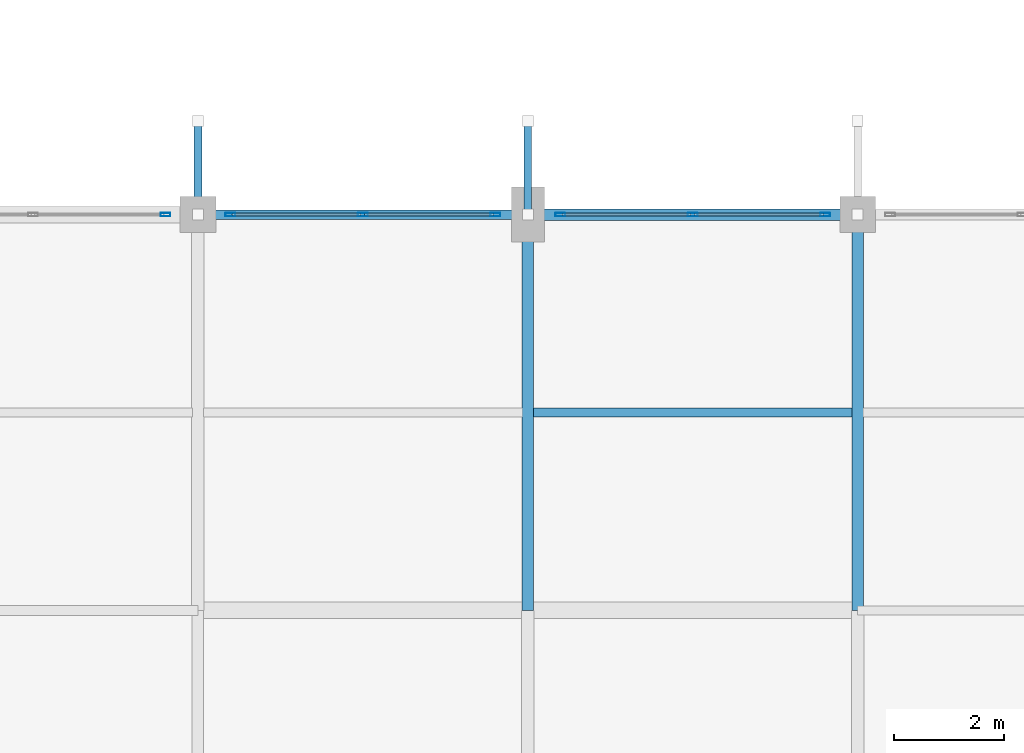
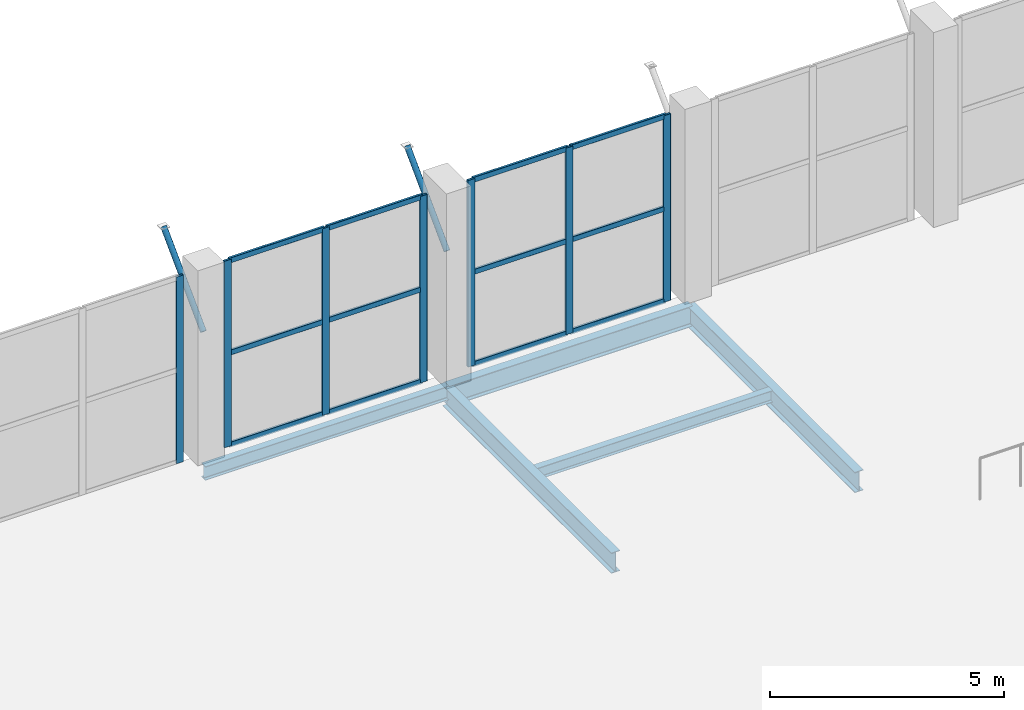
# One storey, part 58 of 127: 21 members, 5 beams, 3 elements without a shape of their own.
"""IFC4 building model written with IfcOpenShell, lengths in metres."""

import ifcopenshell
import ifcopenshell.guid

model = None  # the IFC model being written
_history = None  # IfcOwnerHistory: only IFC2X3 demands one
_inside = {}  # id of a spatial element -> (the spatial element, [elements in it])
_under = {}  # id of a project, library or spatial element -> (it, [spatial elements below it])
_declared = {}  # id of a project -> (the project, [libraries it declares])
_typed = {}  # id of a type object -> (the type object, [elements of that type])
_made_of = {}  # id of a material, layer set ... -> (it, [elements and type objects made of it])


def new_model(schema):
    """Start an empty IFC model of exactly this schema.

    Asked for "IFC4X3", IfcOpenShell would pick the latest addendum, in which some entities
    have other attributes; the version numbers below select the first issue.
    IFC2X3 requires an IfcOwnerHistory on every rooted entity: one is made here for all.
    """
    global model, _history
    if schema == "IFC4X3":
        model = ifcopenshell.file(schema_version=(4, 3, 0, 0))
    else:
        model = ifcopenshell.file(schema=schema)
    _inside.clear()
    _under.clear()
    _declared.clear()
    _typed.clear()
    _made_of.clear()
    _history = None
    if model.schema == "IFC2X3":
        org = make("IfcOrganization", Name="unknown")
        user = make(
            "IfcPersonAndOrganization",
            ThePerson=make("IfcPerson", FamilyName="unknown"),
            TheOrganization=org,
        )
        app = make(
            "IfcApplication",
            ApplicationDeveloper=org,
            Version="unknown",
            ApplicationFullName="unknown",
            ApplicationIdentifier="unknown",
        )
        _history = make(
            "IfcOwnerHistory",
            OwningUser=user,
            OwningApplication=app,
            ChangeAction="ADDED",
            CreationDate=0,
        )
    return model


def make(cls, **values):
    """One entity of the class cls with the attributes given. An attribute that is None is left unset."""
    return model.create_entity(
        cls, **{name: value for name, value in values.items() if value is not None}
    )


def rooted(cls, **values):
    """An entity with a GlobalId (a new one), such as an element, a storey or a relation."""
    return make(cls, GlobalId=ifcopenshell.guid.new(), OwnerHistory=_history, **values)


def si_unit(unit_type, name, prefix=None):
    """IfcSIUnit, for example si_unit("LENGTHUNIT", "METRE", prefix="MILLI")."""
    return make("IfcSIUnit", UnitType=unit_type, Prefix=prefix, Name=name)


def assignment(units):
    """IfcUnitAssignment: the units of a project."""
    return None if units is None else make("IfcUnitAssignment", Units=units)


def point(xyz):
    """IfcCartesianPoint."""
    return None if xyz is None else make("IfcCartesianPoint", Coordinates=xyz)


def direction(xyz):
    """IfcDirection."""
    return None if xyz is None else make("IfcDirection", DirectionRatios=xyz)


def frame(location, z_axis=None, x_axis=None):
    """IfcAxis2Placement3D, a coordinate frame: its origin and axes. An axis left out is left unset."""
    return make(
        "IfcAxis2Placement3D",
        Location=point(location),
        Axis=direction(z_axis),
        RefDirection=direction(x_axis),
    )


def frame_2d(location, x_axis=None):
    """IfcAxis2Placement2D, a coordinate frame in the plane: its origin and x axis."""
    return make(
        "IfcAxis2Placement2D", Location=point(location), RefDirection=direction(x_axis)
    )


def origin():
    """The frame at (0, 0, 0) with its axes left unset."""
    return frame((0.0, 0.0, 0.0))


def origin_2d():
    """The frame at (0, 0) in the plane with its x axis left unset."""
    return frame_2d((0.0, 0.0))


def place(relative_to, where):
    """IfcLocalPlacement: puts the frame where relative to a parent placement (None: the world)."""
    return make(
        "IfcLocalPlacement", PlacementRelTo=relative_to, RelativePlacement=where
    )


def context(
    kind, dimensions, precision=None, world=None, true_north=None, identifier=None
):
    """IfcGeometricRepresentationContext, for example the 3D "Model" context."""
    return make(
        "IfcGeometricRepresentationContext",
        ContextIdentifier=identifier,
        ContextType=kind,
        CoordinateSpaceDimension=dimensions,
        Precision=precision,
        WorldCoordinateSystem=world,
        TrueNorth=true_north,
    )


def subcontext(parent, identifier, kind, view, scale=None):
    """IfcGeometricRepresentationSubContext, for example "Body" below "Model"."""
    return make(
        "IfcGeometricRepresentationSubContext",
        ContextIdentifier=identifier,
        ContextType=kind,
        ParentContext=parent,
        TargetScale=scale,
        TargetView=view,
    )


def project(units=None, contexts=None):
    """IfcProject with its units and contexts."""
    return rooted(
        "IfcProject",
        Name="project",
        RepresentationContexts=contexts,
        UnitsInContext=assignment(units),
    )


def spatial(cls, under=None, at=None, **own):
    """A site, building, storey or space (cls), placed at a placement, below another one or the project."""
    s = rooted(cls, ObjectPlacement=at, **own)
    if under is not None:
        _under.setdefault(under.id(), (under, []))[1].append(s)
    return s


def profile(cls, at=None, kind="AREA", **sizes):
    """A parametric profile (cls). Its sizes go by their IFC names, for example OverallWidth=200.0."""
    return make(cls, ProfileType=kind, Position=at, **sizes)


def hollow_rectangle(**sizes):
    """IfcRectangleHollowProfileDef."""
    return profile("IfcRectangleHollowProfileDef", **sizes)


def hollow_circle(**sizes):
    """IfcCircleHollowProfileDef."""
    return profile("IfcCircleHollowProfileDef", **sizes)


def i_section(**sizes):
    """IfcIShapeProfileDef."""
    return profile("IfcIShapeProfileDef", **sizes)


def extrude(swept, where, along, depth):
    """IfcExtrudedAreaSolid: the profile swept, set in the frame where, extruded along a direction by depth."""
    return make(
        "IfcExtrudedAreaSolid",
        SweptArea=swept,
        Position=where,
        ExtrudedDirection=direction(along),
        Depth=depth,
    )


def shape(context_of_items, identifier, shape_type, items):
    """IfcShapeRepresentation: the items that make up one representation, for example the "Body"."""
    return make(
        "IfcShapeRepresentation",
        ContextOfItems=context_of_items,
        RepresentationIdentifier=identifier,
        RepresentationType=shape_type,
        Items=items,
    )


def material(Name=None, Category=None):
    """IfcMaterial."""
    return make("IfcMaterial", Name=Name, Category=Category)


def layer(
    of_material, thickness, ventilated=None, Name=None, Category=None, Priority=None
):
    """IfcMaterialLayer: one layer of a wall or slab, of a material (None: an air gap)."""
    return make(
        "IfcMaterialLayer",
        Material=of_material,
        LayerThickness=thickness,
        IsVentilated=ventilated,
        Name=Name,
        Category=Category,
        Priority=Priority,
    )


def layer_set(layers, Name=None):
    """IfcMaterialLayerSet."""
    return make("IfcMaterialLayerSet", MaterialLayers=layers, LayerSetName=Name)


def material_profile(
    of_material, cross_section, Name=None, Category=None, Priority=None
):
    """IfcMaterialProfile: a cross section and its material."""
    return make(
        "IfcMaterialProfile",
        Name=Name,
        Material=of_material,
        Profile=cross_section,
        Priority=Priority,
        Category=Category,
    )


def profile_set(profiles, Name=None, composite=None):
    """IfcMaterialProfileSet."""
    return make(
        "IfcMaterialProfileSet",
        Name=Name,
        MaterialProfiles=profiles,
        CompositeProfile=composite,
    )


def made_of(thing, what):
    """Note that an element or type object is made of a material, layer set ...; save() writes the relation."""
    if what is not None:
        _made_of.setdefault(what.id(), (what, []))[1].append(thing)
    return thing


def type_object(cls, material=None, **own):
    """A type object (cls), such as IfcWallType, which elements share."""
    return made_of(rooted(cls, **own), material)


def element(
    cls,
    number,
    at=None,
    inside=None,
    cuts=None,
    type_object=None,
    material=None,
    context=None,
    identifier="Body",
    shape_type=None,
    held_by="IfcProductDefinitionShape",
    body=None,
    shapes=None,
    **own,
):
    """One element of the class cls, such as IfcWall. Its Tag is "e" and its number.

    at: its placement. inside: the storey or other place that contains it. cuts: it is an
    opening in that element (IfcRelVoidsElement). A single representation is given by context,
    identifier, shape_type and body (its items); several are given by shapes. held_by: the class
    of the entity that holds the representations. save() writes the other relations.
    """
    e = rooted(cls, Tag="e%d" % number, ObjectPlacement=at, **own)
    if body is not None:
        shapes = [shape(context, identifier, shape_type, body)]
    if shapes is not None:
        e.Representation = make(held_by, Representations=shapes)
    if inside is not None:
        _inside.setdefault(inside.id(), (inside, []))[1].append(e)
    if cuts is not None:
        rooted(
            "IfcRelVoidsElement", RelatingBuildingElement=cuts, RelatedOpeningElement=e
        )
    if type_object is not None:
        _typed.setdefault(type_object.id(), (type_object, []))[1].append(e)
    return made_of(e, material)


def aggregate(whole, parts):
    """IfcRelAggregates: a whole, such as a stair, and the parts it consists of."""
    return rooted("IfcRelAggregates", RelatingObject=whole, RelatedObjects=parts)


def save(model, path):
    """Write the relations noted so far, then the file.

    IfcRelAggregates (storeys below a building ...), IfcRelContainedInSpatialStructure (elements
    in a storey), IfcRelDefinesByType, IfcRelAssociatesMaterial and IfcRelDeclares: one each for
    every whole, place, type object, material and project.
    """
    for whole, parts in _under.values():
        aggregate(whole, parts)
    for where, things in _inside.values():
        rooted(
            "IfcRelContainedInSpatialStructure",
            RelatedElements=things,
            RelatingStructure=where,
        )
    for kind, things in _typed.values():
        rooted("IfcRelDefinesByType", RelatedObjects=things, RelatingType=kind)
    for what, things in _made_of.values():
        rooted("IfcRelAssociatesMaterial", RelatedObjects=things, RelatingMaterial=what)
    for by, libraries in _declared.values():
        rooted("IfcRelDeclares", RelatingContext=by, RelatedDefinitions=libraries)
    model.write(path)


model = new_model("IFC4")

# Units and contexts
model_context = context("Model", 3, precision=1e-05, world=origin(), true_north=direction((0.0, 1.0)))
body_context = subcontext(model_context, "Body", "Model", "MODEL_VIEW")
ifc_project = project(units=[si_unit("LENGTHUNIT", "METRE"), si_unit("AREAUNIT", "SQUARE_METRE"), si_unit("VOLUMEUNIT", "CUBIC_METRE"), si_unit("PLANEANGLEUNIT", "RADIAN"), si_unit("MASSUNIT", "GRAM", prefix="KILO")], contexts=[model_context])

# Site, building, storey
site_placement = place(None, origin())
site = spatial("IfcSite", under=ifc_project, at=site_placement, CompositionType="ELEMENT")
building_placement = place(site_placement, origin())
building = spatial("IfcBuilding", under=site, at=building_placement, Name="Dunvalen Ferry Terminal", CompositionType="ELEMENT")
storey_placement = place(building_placement, frame((0.0, 0.0, 5.760009765625)))
storey = spatial("IfcBuildingStorey", under=building, at=storey_placement, Name="L01", CompositionType="ELEMENT", Elevation=5.760009765625)

# Curtain wall, member
ifc_material_1 = material(Name="Anodised marine aluminium and solar-control glazing", Category="aluminium")
ifc_layer = layer(ifc_material_1, 0.219970703125, Name="Anodised marine aluminium and solar-control glazing")
ifc_layer_set = layer_set([ifc_layer], Name="Anodised marine aluminium and solar-control glazing")
curtain_wall_type = type_object("IfcCurtainWallType", Name="ENV-CW-SYS-02", PredefinedType="NOTDEFINED", material=ifc_layer_set)
curtain_wall_1_placement = place(storey_placement, origin())
curtain_wall_1 = element("IfcCurtainWall", 1, at=curtain_wall_1_placement, inside=storey, type_object=curtain_wall_type, Name="L01 Curtain Wall CW-V1N-L01-09", PredefinedType="NOTDEFINED")
ifc_material_2 = material(Name="Anodised marine aluminium EN AW-6063 T6", Category="aluminium")
ifc_material_profile_1 = material_profile(ifc_material_2, hollow_rectangle(XDim=0.06005859375, YDim=0.179931640625, WallThickness=0.00341796875, InnerFilletRadius=0.00341796875, OuterFilletRadius=0.007080078125, at=origin_2d()), Name="Anodised marine aluminium EN AW-6063 T6")
ifc_profile_set_1 = profile_set([ifc_material_profile_1], Name="Anodised marine aluminium EN AW-6063 T6")
member_type_1 = type_object("IfcMemberType", Name="ENV-CW-MUL-2", PredefinedType="MULLION", material=ifc_profile_set_1)
member_1_placement = place(storey_placement, frame((65.409912109375, 86.39990234375, 0.0), z_axis=(0.0, 0.0, 1.0), x_axis=(0.0, 1.0, 0.0)))
member_1 = element("IfcMember", 2, at=member_1_placement, type_object=member_type_1, Name="CW-02 mullion 3", PredefinedType="MULLION", context=body_context, shape_type="SweptSolid", body=[
    extrude(hollow_rectangle(XDim=0.06005859375, YDim=0.179931640625, WallThickness=0.00341796875, InnerFilletRadius=0.00341796875, OuterFilletRadius=0.007080078125, at=origin_2d()), origin(), (0.0, 0.0, 1.0), 4.860107421875),
])
aggregate(curtain_wall_1, [member_1])

# Curtain wall, members
curtain_wall_2_placement = place(storey_placement, origin())
curtain_wall_2 = element("IfcCurtainWall", 3, at=curtain_wall_2_placement, inside=storey, type_object=curtain_wall_type, Name="L01 Curtain Wall CW-V1N-L01-10", PredefinedType="NOTDEFINED")
member_2_placement = place(storey_placement, frame((66.590087890625, 86.39990234375, 0.0), z_axis=(0.0, 0.0, 1.0), x_axis=(0.0, 1.0, 0.0)))
member_2 = element("IfcMember", 4, at=member_2_placement, type_object=member_type_1, Name="CW-02 mullion 1", PredefinedType="MULLION", context=body_context, shape_type="SweptSolid", body=[
    extrude(hollow_rectangle(XDim=0.06005859375, YDim=0.179931640625, WallThickness=0.00341796875, InnerFilletRadius=0.00341796875, OuterFilletRadius=0.007080078125, at=origin_2d()), origin(), (0.0, 0.0, 1.0), 4.860107421875),
])
member_3_placement = place(storey_placement, frame((69.0, 86.39990234375, 0.0), z_axis=(0.0, 0.0, 1.0), x_axis=(0.0, 1.0, 0.0)))
member_3 = element("IfcMember", 5, at=member_3_placement, type_object=member_type_1, Name="CW-02 mullion 2", PredefinedType="MULLION", context=body_context, shape_type="SweptSolid", body=[
    extrude(hollow_rectangle(XDim=0.06005859375, YDim=0.179931640625, WallThickness=0.00341796875, InnerFilletRadius=0.00341796875, OuterFilletRadius=0.007080078125, at=origin_2d()), origin(), (0.0, 0.0, 1.0), 4.860107421875),
])
member_4_placement = place(storey_placement, frame((71.409912109375, 86.39990234375, 0.0), z_axis=(0.0, 0.0, 1.0), x_axis=(0.0, 1.0, 0.0)))
member_4 = element("IfcMember", 6, at=member_4_placement, type_object=member_type_1, Name="CW-02 mullion 3", PredefinedType="MULLION", context=body_context, shape_type="SweptSolid", body=[
    extrude(hollow_rectangle(XDim=0.06005859375, YDim=0.179931640625, WallThickness=0.00341796875, InnerFilletRadius=0.00341796875, OuterFilletRadius=0.007080078125, at=origin_2d()), origin(), (0.0, 0.0, 1.0), 4.860107421875),
])

curtain_wall_3_placement = place(storey_placement, origin())
curtain_wall_3 = element("IfcCurtainWall", 7, at=curtain_wall_3_placement, inside=storey, type_object=curtain_wall_type, Name="L01 Curtain Wall CW-V1N-L01-11", PredefinedType="NOTDEFINED")
member_5_placement = place(storey_placement, frame((72.590087890625, 86.39990234375, 0.0), z_axis=(0.0, 0.0, 1.0), x_axis=(0.0, 1.0, 0.0)))
member_5 = element("IfcMember", 8, at=member_5_placement, type_object=member_type_1, Name="CW-02 mullion 1", PredefinedType="MULLION", context=body_context, shape_type="SweptSolid", body=[
    extrude(hollow_rectangle(XDim=0.06005859375, YDim=0.179931640625, WallThickness=0.00341796875, InnerFilletRadius=0.00341796875, OuterFilletRadius=0.007080078125, at=origin_2d()), origin(), (0.0, 0.0, 1.0), 4.860107421875),
])
member_6_placement = place(storey_placement, frame((75.0, 86.39990234375, 0.0), z_axis=(0.0, 0.0, 1.0), x_axis=(0.0, 1.0, 0.0)))
member_6 = element("IfcMember", 9, at=member_6_placement, type_object=member_type_1, Name="CW-02 mullion 2", PredefinedType="MULLION", context=body_context, shape_type="SweptSolid", body=[
    extrude(hollow_rectangle(XDim=0.06005859375, YDim=0.179931640625, WallThickness=0.00341796875, InnerFilletRadius=0.00341796875, OuterFilletRadius=0.007080078125, at=origin_2d()), origin(), (0.0, 0.0, 1.0), 4.860107421875),
])
member_7_placement = place(storey_placement, frame((77.409912109375, 86.39990234375, 0.0), z_axis=(0.0, 0.0, 1.0), x_axis=(0.0, 1.0, 0.0)))
member_7 = element("IfcMember", 10, at=member_7_placement, type_object=member_type_1, Name="CW-02 mullion 3", PredefinedType="MULLION", context=body_context, shape_type="SweptSolid", body=[
    extrude(hollow_rectangle(XDim=0.06005859375, YDim=0.179931640625, WallThickness=0.00341796875, InnerFilletRadius=0.00341796875, OuterFilletRadius=0.007080078125, at=origin_2d()), origin(), (0.0, 0.0, 1.0), 4.860107421875),
])

# Member
ifc_material_profile_2 = material_profile(ifc_material_2, hollow_rectangle(XDim=0.06005859375, YDim=0.135009765625, WallThickness=0.003173828125, InnerFilletRadius=0.003173828125, OuterFilletRadius=0.00634765625, at=origin_2d()), Name="Anodised marine aluminium EN AW-6063 T6")
ifc_profile_set_2 = profile_set([ifc_material_profile_2], Name="Anodised marine aluminium EN AW-6063 T6")
member_type_2 = type_object("IfcMemberType", Name="ENV-CW-TRN-2", PredefinedType="USERDEFINED", material=ifc_profile_set_2)
member_8_placement = place(storey_placement, frame((66.6201171875, 86.39990234375, 0.030029296875), z_axis=(1.0, 0.0, 0.0), x_axis=(0.0, 1.0, 0.0)))
member_8 = element("IfcMember", 11, at=member_8_placement, type_object=member_type_2, Name="CW-02 transom 1.1", ObjectType="TRANSOM", PredefinedType="USERDEFINED", context=body_context, shape_type="SweptSolid", body=[
    extrude(hollow_rectangle(XDim=0.06005859375, YDim=0.135009765625, WallThickness=0.003173828125, InnerFilletRadius=0.003173828125, OuterFilletRadius=0.00634765625, at=origin_2d()), origin(), (0.0, 0.0, 1.0), 2.349853515625),
])

member_9_placement = place(storey_placement, frame((66.6201171875, 86.39990234375, 2.429931640625), z_axis=(1.0, 0.0, 0.0), x_axis=(0.0, 1.0, 0.0)))
member_9 = element("IfcMember", 12, at=member_9_placement, type_object=member_type_2, Name="CW-02 transom 1.2", ObjectType="TRANSOM", PredefinedType="USERDEFINED", context=body_context, shape_type="SweptSolid", body=[
    extrude(hollow_rectangle(XDim=0.06005859375, YDim=0.135009765625, WallThickness=0.003173828125, InnerFilletRadius=0.003173828125, OuterFilletRadius=0.00634765625, at=origin_2d()), origin(), (0.0, 0.0, 1.0), 2.349853515625),
])

member_10_placement = place(storey_placement, frame((66.6201171875, 86.39990234375, 4.830078125), z_axis=(1.0, 0.0, 0.0), x_axis=(0.0, 1.0, 0.0)))
member_10 = element("IfcMember", 13, at=member_10_placement, type_object=member_type_2, Name="CW-02 transom 1.3", ObjectType="TRANSOM", PredefinedType="USERDEFINED", context=body_context, shape_type="SweptSolid", body=[
    extrude(hollow_rectangle(XDim=0.06005859375, YDim=0.135009765625, WallThickness=0.003173828125, InnerFilletRadius=0.003173828125, OuterFilletRadius=0.00634765625, at=origin_2d()), origin(), (0.0, 0.0, 1.0), 2.349853515625),
])

member_11_placement = place(storey_placement, frame((69.030029296875, 86.39990234375, 0.030029296875), z_axis=(1.0, 0.0, 0.0), x_axis=(0.0, 1.0, 0.0)))
member_11 = element("IfcMember", 14, at=member_11_placement, type_object=member_type_2, Name="CW-02 transom 2.1", ObjectType="TRANSOM", PredefinedType="USERDEFINED", context=body_context, shape_type="SweptSolid", body=[
    extrude(hollow_rectangle(XDim=0.06005859375, YDim=0.135009765625, WallThickness=0.003173828125, InnerFilletRadius=0.003173828125, OuterFilletRadius=0.00634765625, at=origin_2d()), origin(), (0.0, 0.0, 1.0), 2.349853515625),
])

member_12_placement = place(storey_placement, frame((69.030029296875, 86.39990234375, 2.429931640625), z_axis=(1.0, 0.0, 0.0), x_axis=(0.0, 1.0, 0.0)))
member_12 = element("IfcMember", 15, at=member_12_placement, type_object=member_type_2, Name="CW-02 transom 2.2", ObjectType="TRANSOM", PredefinedType="USERDEFINED", context=body_context, shape_type="SweptSolid", body=[
    extrude(hollow_rectangle(XDim=0.06005859375, YDim=0.135009765625, WallThickness=0.003173828125, InnerFilletRadius=0.003173828125, OuterFilletRadius=0.00634765625, at=origin_2d()), origin(), (0.0, 0.0, 1.0), 2.349853515625),
])

member_13_placement = place(storey_placement, frame((69.030029296875, 86.39990234375, 4.830078125), z_axis=(1.0, 0.0, 0.0), x_axis=(0.0, 1.0, 0.0)))
member_13 = element("IfcMember", 16, at=member_13_placement, type_object=member_type_2, Name="CW-02 transom 2.3", ObjectType="TRANSOM", PredefinedType="USERDEFINED", context=body_context, shape_type="SweptSolid", body=[
    extrude(hollow_rectangle(XDim=0.06005859375, YDim=0.135009765625, WallThickness=0.003173828125, InnerFilletRadius=0.003173828125, OuterFilletRadius=0.00634765625, at=origin_2d()), origin(), (0.0, 0.0, 1.0), 2.349853515625),
])

aggregate(curtain_wall_2, [member_2, member_3, member_4, member_8, member_9, member_10, member_11, member_12, member_13])

member_14_placement = place(storey_placement, frame((72.6201171875, 86.39990234375, 0.030029296875), z_axis=(1.0, 0.0, 0.0), x_axis=(0.0, 1.0, 0.0)))
member_14 = element("IfcMember", 17, at=member_14_placement, type_object=member_type_2, Name="CW-02 transom 1.1", ObjectType="TRANSOM", PredefinedType="USERDEFINED", context=body_context, shape_type="SweptSolid", body=[
    extrude(hollow_rectangle(XDim=0.06005859375, YDim=0.135009765625, WallThickness=0.003173828125, InnerFilletRadius=0.003173828125, OuterFilletRadius=0.00634765625, at=origin_2d()), origin(), (0.0, 0.0, 1.0), 2.349853515625),
])

member_15_placement = place(storey_placement, frame((72.6201171875, 86.39990234375, 2.429931640625), z_axis=(1.0, 0.0, 0.0), x_axis=(0.0, 1.0, 0.0)))
member_15 = element("IfcMember", 18, at=member_15_placement, type_object=member_type_2, Name="CW-02 transom 1.2", ObjectType="TRANSOM", PredefinedType="USERDEFINED", context=body_context, shape_type="SweptSolid", body=[
    extrude(hollow_rectangle(XDim=0.06005859375, YDim=0.135009765625, WallThickness=0.003173828125, InnerFilletRadius=0.003173828125, OuterFilletRadius=0.00634765625, at=origin_2d()), origin(), (0.0, 0.0, 1.0), 2.349853515625),
])

member_16_placement = place(storey_placement, frame((72.6201171875, 86.39990234375, 4.830078125), z_axis=(1.0, 0.0, 0.0), x_axis=(0.0, 1.0, 0.0)))
member_16 = element("IfcMember", 19, at=member_16_placement, type_object=member_type_2, Name="CW-02 transom 1.3", ObjectType="TRANSOM", PredefinedType="USERDEFINED", context=body_context, shape_type="SweptSolid", body=[
    extrude(hollow_rectangle(XDim=0.06005859375, YDim=0.135009765625, WallThickness=0.003173828125, InnerFilletRadius=0.003173828125, OuterFilletRadius=0.00634765625, at=origin_2d()), origin(), (0.0, 0.0, 1.0), 2.349853515625),
])

member_17_placement = place(storey_placement, frame((75.030029296875, 86.39990234375, 0.030029296875), z_axis=(1.0, 0.0, 0.0), x_axis=(0.0, 1.0, 0.0)))
member_17 = element("IfcMember", 20, at=member_17_placement, type_object=member_type_2, Name="CW-02 transom 2.1", ObjectType="TRANSOM", PredefinedType="USERDEFINED", context=body_context, shape_type="SweptSolid", body=[
    extrude(hollow_rectangle(XDim=0.06005859375, YDim=0.135009765625, WallThickness=0.003173828125, InnerFilletRadius=0.003173828125, OuterFilletRadius=0.00634765625, at=origin_2d()), origin(), (0.0, 0.0, 1.0), 2.349853515625),
])

member_18_placement = place(storey_placement, frame((75.030029296875, 86.39990234375, 2.429931640625), z_axis=(1.0, 0.0, 0.0), x_axis=(0.0, 1.0, 0.0)))
member_18 = element("IfcMember", 21, at=member_18_placement, type_object=member_type_2, Name="CW-02 transom 2.2", ObjectType="TRANSOM", PredefinedType="USERDEFINED", context=body_context, shape_type="SweptSolid", body=[
    extrude(hollow_rectangle(XDim=0.06005859375, YDim=0.135009765625, WallThickness=0.003173828125, InnerFilletRadius=0.003173828125, OuterFilletRadius=0.00634765625, at=origin_2d()), origin(), (0.0, 0.0, 1.0), 2.349853515625),
])

member_19_placement = place(storey_placement, frame((75.030029296875, 86.39990234375, 4.830078125), z_axis=(1.0, 0.0, 0.0), x_axis=(0.0, 1.0, 0.0)))
member_19 = element("IfcMember", 22, at=member_19_placement, type_object=member_type_2, Name="CW-02 transom 2.3", ObjectType="TRANSOM", PredefinedType="USERDEFINED", context=body_context, shape_type="SweptSolid", body=[
    extrude(hollow_rectangle(XDim=0.06005859375, YDim=0.135009765625, WallThickness=0.003173828125, InnerFilletRadius=0.003173828125, OuterFilletRadius=0.00634765625, at=origin_2d()), origin(), (0.0, 0.0, 1.0), 2.349853515625),
])

aggregate(curtain_wall_3, [member_5, member_6, member_7, member_14, member_15, member_16, member_17, member_18, member_19])

# Beams
ifc_material_3 = material(Name="Steel S355", Category="steel")
ifc_material_profile_3 = material_profile(ifc_material_3, i_section(OverallWidth=0.169921875, OverallDepth=0.360107421875, WebThickness=0.008056640625, FlangeThickness=0.0126953125, FilletRadius=0.01806640625, at=origin_2d()), Name="Steel S355")
ifc_profile_set_3 = profile_set([ifc_material_profile_3], Name="Steel S355")
beam_type_1 = type_object("IfcBeamType", Name="STR-BM-IPE360", PredefinedType="BEAM", material=ifc_profile_set_3)
beam_1_placement = place(storey_placement, frame((66.0, 86.39990234375, -0.4599609375), z_axis=(1.0, 0.0, 0.0), x_axis=(0.0, 1.0, 0.0)))
element("IfcBeam", 23, at=beam_1_placement, inside=storey, type_object=beam_type_1, Name="L01 V1M Primary Beam X-071", PredefinedType="BEAM", context=body_context, shape_type="SweptSolid", body=[
    extrude(i_section(OverallWidth=0.169921875, OverallDepth=0.360107421875, WebThickness=0.008056640625, FlangeThickness=0.0126953125, FilletRadius=0.01806640625, at=origin_2d()), origin(), (0.0, 0.0, 1.0), 6.0),
])
ifc_material_profile_4 = material_profile(ifc_material_3, i_section(OverallWidth=0.1650390625, OverallDepth=0.303466796875, WebThickness=0.006103515625, FlangeThickness=0.01025390625, FilletRadius=0.0087890625, at=origin_2d()), Name="Steel S355")
ifc_profile_set_4 = profile_set([ifc_material_profile_4], Name="Steel S355")
beam_type_2 = type_object("IfcBeamType", Name="STR-BM-UKB305", PredefinedType="JOIST", material=ifc_profile_set_4)
beam_2_placement = place(storey_placement, frame((72.10009765625, 82.800048828125, -0.431640625), z_axis=(1.0, 0.0, 0.0), x_axis=(0.0, 1.0, 0.0)))
element("IfcBeam", 24, at=beam_2_placement, inside=storey, type_object=beam_type_2, Name="L01 V1M Secondary Joist 027", PredefinedType="JOIST", context=body_context, shape_type="SweptSolid", body=[
    extrude(i_section(OverallWidth=0.1650390625, OverallDepth=0.303466796875, WebThickness=0.006103515625, FlangeThickness=0.01025390625, FilletRadius=0.0087890625, at=origin_2d()), origin(), (0.0, 0.0, 1.0), 5.7998046875),
])
ifc_material_profile_5 = material_profile(ifc_material_3, i_section(OverallWidth=0.209228515625, OverallDepth=0.533203125, WebThickness=0.010009765625, FlangeThickness=0.015625, FilletRadius=0.0126953125, at=origin_2d()), Name="Steel S355")
ifc_profile_set_5 = profile_set([ifc_material_profile_5], Name="Steel S355")
beam_type_3 = type_object("IfcBeamType", Name="STR-BM-UKB533", PredefinedType="BEAM", material=ifc_profile_set_5)
beam_3_placement = place(storey_placement, frame((72.0, 86.39990234375, -0.546630859375), z_axis=(1.0, 0.0, 0.0), x_axis=(0.0, 1.0, 0.0)))
element("IfcBeam", 25, at=beam_3_placement, inside=storey, type_object=beam_type_3, Name="L01 V1M Primary Beam X-072", PredefinedType="BEAM", context=body_context, shape_type="SweptSolid", body=[
    extrude(i_section(OverallWidth=0.209228515625, OverallDepth=0.533203125, WebThickness=0.010009765625, FlangeThickness=0.015625, FilletRadius=0.0126953125, at=origin_2d()), origin(), (0.0, 0.0, 1.0), 6.0),
])
for number, where, z_axis, x_axis, name in (
    (26, (72.0, 79.199951171875, -0.546630859375), (0.0, 1.0, 0.0), (-1.0, 0.0, 0.0), "L01 V1M Primary Girder Y-121"),
    (27, (78.0, 79.199951171875, -0.546630859375), (0.0, 1.0, 0.0), (-1.0, 0.0, 0.0), "L01 V1M Primary Girder Y-127"),
):
    element("IfcBeam", number, at=place(storey_placement, frame(where, z_axis=z_axis, x_axis=x_axis)), inside=storey, type_object=beam_type_3, Name=name, PredefinedType="BEAM", context=body_context, shape_type="SweptSolid", body=[
        extrude(i_section(OverallWidth=0.209228515625, OverallDepth=0.533203125, WebThickness=0.010009765625, FlangeThickness=0.015625, FilletRadius=0.0126953125, at=origin_2d()), origin(), (0.0, 0.0, 1.0), 7.199951171875),
    ])

# Members
ifc_material_profile_6 = material_profile(ifc_material_3, hollow_circle(Radius=0.06982421875, WallThickness=0.00634765625, at=origin_2d()), Name="Steel S355")
ifc_profile_set_6 = profile_set([ifc_material_profile_6], Name="Steel S355")
member_type_3 = type_object("IfcMemberType", Name="STR-MB-CHS139", PredefinedType="BRACE", material=ifc_profile_set_6)
for number, where, z_axis, x_axis, name in (
    (28, (66.0, 86.39990234375, 3.18994140625), (0.0, 0.705078956609, 0.709128807021), (-1.0, 0.0, 0.0), "Departure Hall North Eave Knee Strut 10"),
    (29, (72.0, 86.39990234375, 3.18994140625), (0.0, 0.705078956609, 0.709128807021), (-1.0, 0.0, 0.0), "Departure Hall North Eave Knee Strut 11"),
):
    element("IfcMember", number, at=place(storey_placement, frame(where, z_axis=z_axis, x_axis=x_axis)), inside=storey, type_object=member_type_3, Name=name, PredefinedType="BRACE", context=body_context, shape_type="SweptSolid", body=[
        extrude(hollow_circle(Radius=0.06982421875, WallThickness=0.00634765625, at=origin_2d()), origin(), (0.0, 0.0, 1.0), 2.411376953125),
    ])

save(model, "model.ifc")
